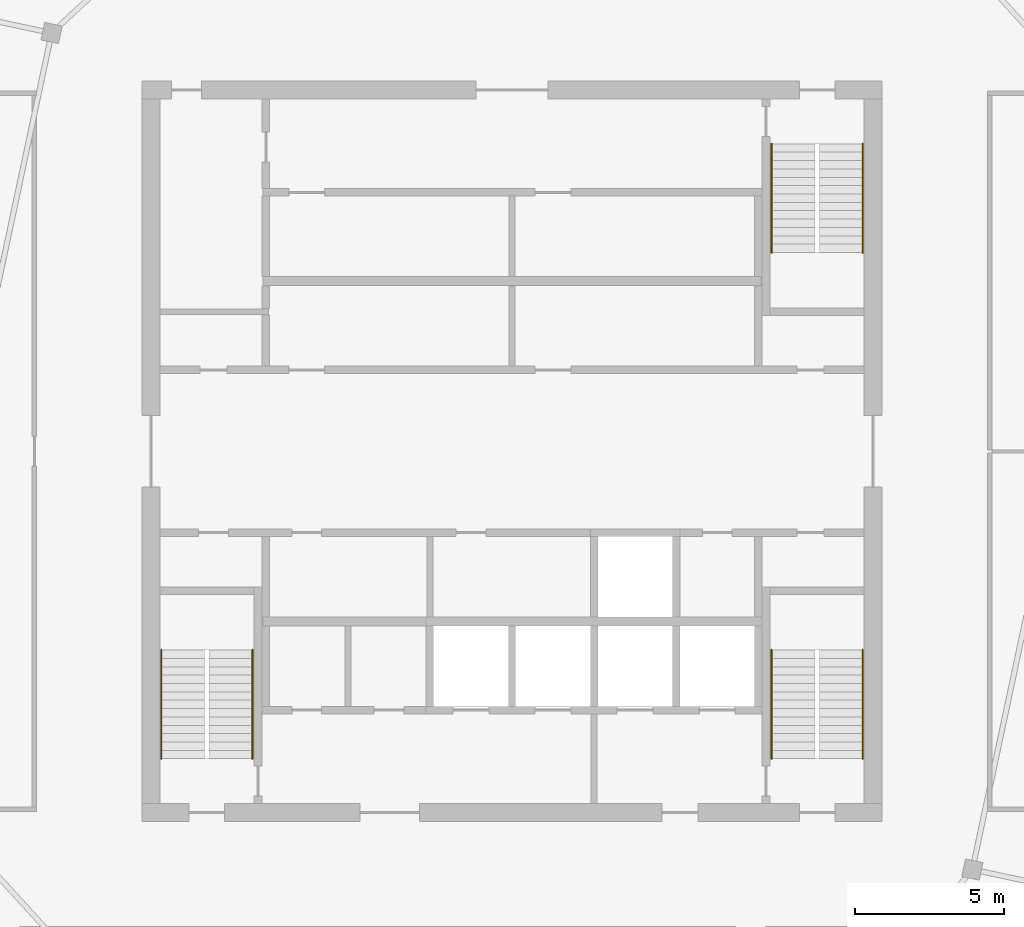
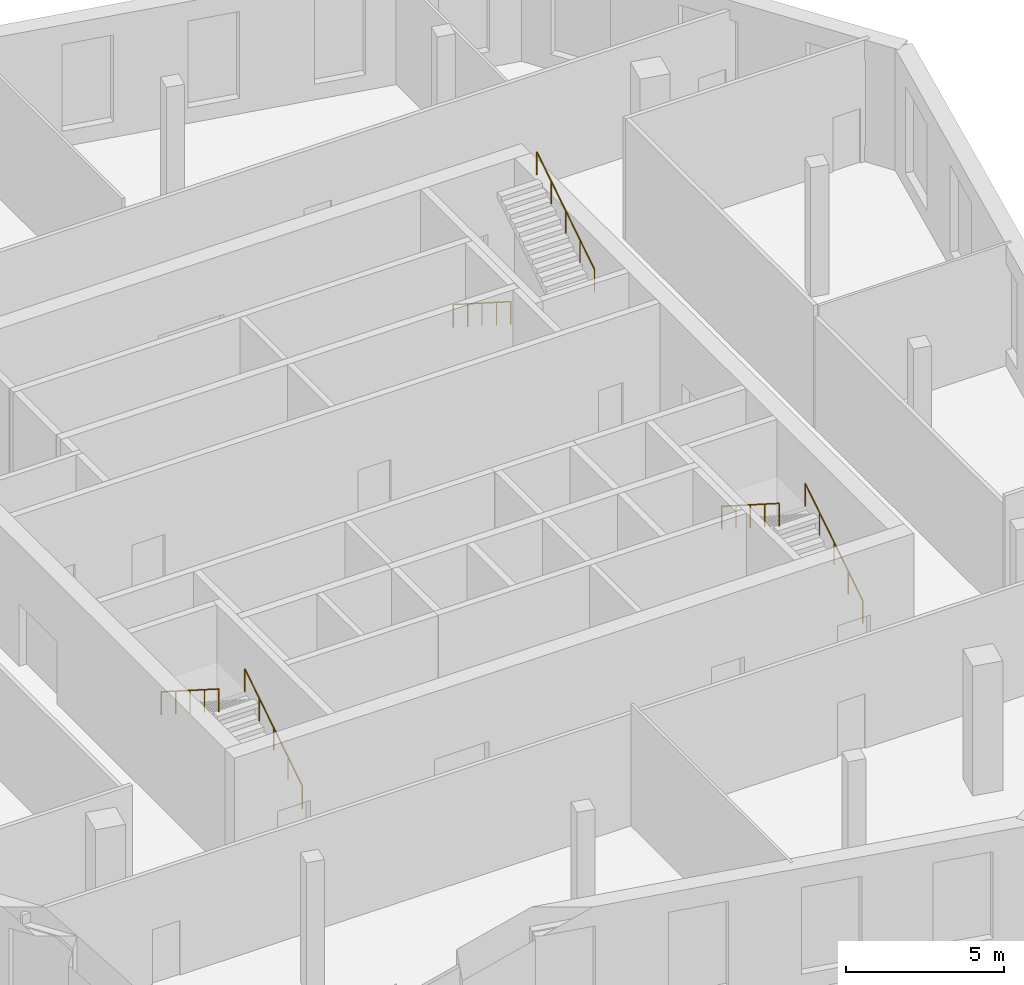
# One storey, part 6 of 6: 6 railings.
"""IFC4 building model written with IfcOpenShell, lengths in metres."""

from ifc_helpers import new_model, si_unit, direction, frame, origin, origin_2d, place, context, subcontext, project, spatial, circle, extrude, material, type_object, element, save


model = new_model("IFC4")

# Units and contexts
model_context = context("Model", 3, precision=1e-05, world=origin(), true_north=direction((0.0, 1.0)))
body_context = subcontext(model_context, "Body", "Model", "MODEL_VIEW")
ifc_project = project(units=[si_unit("LENGTHUNIT", "METRE"), si_unit("AREAUNIT", "SQUARE_METRE"), si_unit("VOLUMEUNIT", "CUBIC_METRE"), si_unit("PLANEANGLEUNIT", "RADIAN"), si_unit("MASSUNIT", "GRAM", prefix="KILO")], contexts=[model_context])

# Site, building, storey
site_placement = place(None, origin())
site = spatial("IfcSite", under=ifc_project, at=site_placement, CompositionType="ELEMENT")
building_placement = place(site_placement, origin())
building = spatial("IfcBuilding", under=site, at=building_placement, Name="Dilmun Exchange Tower", CompositionType="ELEMENT")
storey_placement = place(building_placement, frame((0.0, 0.0, 358.10009765625)))
storey = spatial("IfcBuildingStorey", under=building, at=storey_placement, Name="Crown L84", CompositionType="ELEMENT", Elevation=358.10009765625)

# Railings
ifc_material = material(Name="Stainless steel", Category="steel")
railing_type = type_object("IfcRailingType", Name="Stair handrail 900", PredefinedType="HANDRAIL", material=ifc_material)
railing_1_placement = place(storey_placement, frame((8.699951171875, 10.300048828125, 0.178466796875)))
element("IfcRailing", 1, at=railing_1_placement, inside=storey, type_object=railing_type, Name="Crown L84 ST1 stair handrail 1", PredefinedType="HANDRAIL", context=body_context, shape_type="SweptSolid", body=[
    extrude(circle(Radius=0.02392578125, at=origin_2d()), frame((0.0, 0.0, 0.8759765625), z_axis=(0.0, -0.843127859045, 0.537713132908), x_axis=(1.0, 0.0, 0.0)), (0.0, 0.0, 1.0), 4.3173828125),
    extrude(circle(Radius=0.02099609375, at=origin_2d()), origin(), (0.0, 0.0, 1.0), 0.851806640625),
    extrude(circle(Radius=0.02099609375, at=origin_2d()), frame((0.0, -0.91015625, 0.580322265625)), (0.0, 0.0, 1.0), 0.851806640625),
    extrude(circle(Radius=0.02099609375, at=origin_2d()), frame((0.0, -1.820068359375, 1.16064453125)), (0.0, 0.0, 1.0), 0.851806640625),
    extrude(circle(Radius=0.02099609375, at=origin_2d()), frame((0.0, -2.72998046875, 1.7412109375)), (0.0, 0.0, 1.0), 0.851806640625),
    extrude(circle(Radius=0.02099609375, at=origin_2d()), frame((0.0, -3.64013671875, 2.321533203125)), (0.0, 0.0, 1.0), 0.851806640625),
])
for number, where, name in (
    (2, (11.75, 6.659912109375, 2.678466796875), "Crown L84 ST1 stair handrail 2"),
    (3, (-8.699951171875, -10.300048828125, 0.178466796875), "Crown L84 ST2 stair handrail 1"),
):
    element("IfcRailing", number, at=place(storey_placement, frame(where)), inside=storey, type_object=railing_type, Name=name, PredefinedType="HANDRAIL", context=body_context, shape_type="SweptSolid", body=[
        extrude(circle(Radius=0.02392578125, at=origin_2d()), frame((0.0, 0.0, 0.8759765625), z_axis=(0.0, 0.843127859045, 0.537713132908), x_axis=(-1.0, 0.0, 0.0)), (0.0, 0.0, 1.0), 4.3173828125),
        extrude(circle(Radius=0.02099609375, at=origin_2d()), origin(), (0.0, 0.0, 1.0), 0.851806640625),
        extrude(circle(Radius=0.02099609375, at=origin_2d()), frame((0.0, 0.91015625, 0.580322265625)), (0.0, 0.0, 1.0), 0.851806640625),
        extrude(circle(Radius=0.02099609375, at=origin_2d()), frame((0.0, 1.820068359375, 1.16064453125)), (0.0, 0.0, 1.0), 0.851806640625),
        extrude(circle(Radius=0.02099609375, at=origin_2d()), frame((0.0, 2.72998046875, 1.7412109375)), (0.0, 0.0, 1.0), 0.851806640625),
        extrude(circle(Radius=0.02099609375, at=origin_2d()), frame((0.0, 3.64013671875, 2.321533203125)), (0.0, 0.0, 1.0), 0.851806640625),
    ])
railing_2_placement = place(storey_placement, frame((-11.75, -6.659912109375, 2.678466796875)))
element("IfcRailing", 4, at=railing_2_placement, inside=storey, type_object=railing_type, Name="Crown L84 ST2 stair handrail 2", PredefinedType="HANDRAIL", context=body_context, shape_type="SweptSolid", body=[
    extrude(circle(Radius=0.02392578125, at=origin_2d()), frame((0.0, 0.0, 0.8759765625), z_axis=(0.0, -0.843127859045, 0.537713132908), x_axis=(1.0, 0.0, 0.0)), (0.0, 0.0, 1.0), 4.3173828125),
    extrude(circle(Radius=0.02099609375, at=origin_2d()), origin(), (0.0, 0.0, 1.0), 0.851806640625),
    extrude(circle(Radius=0.02099609375, at=origin_2d()), frame((0.0, -0.91015625, 0.580322265625)), (0.0, 0.0, 1.0), 0.851806640625),
    extrude(circle(Radius=0.02099609375, at=origin_2d()), frame((0.0, -1.820068359375, 1.16064453125)), (0.0, 0.0, 1.0), 0.851806640625),
    extrude(circle(Radius=0.02099609375, at=origin_2d()), frame((0.0, -2.72998046875, 1.7412109375)), (0.0, 0.0, 1.0), 0.851806640625),
    extrude(circle(Radius=0.02099609375, at=origin_2d()), frame((0.0, -3.64013671875, 2.321533203125)), (0.0, 0.0, 1.0), 0.851806640625),
])
railing_3_placement = place(storey_placement, frame((11.75, -10.300048828125, 0.178466796875)))
element("IfcRailing", 5, at=railing_3_placement, inside=storey, type_object=railing_type, Name="Crown L84 ST3 stair handrail 1", PredefinedType="HANDRAIL", context=body_context, shape_type="SweptSolid", body=[
    extrude(circle(Radius=0.02392578125, at=origin_2d()), frame((0.0, 0.0, 0.8759765625), z_axis=(0.0, 0.843127859045, 0.537713132908), x_axis=(-1.0, 0.0, 0.0)), (0.0, 0.0, 1.0), 4.3173828125),
    extrude(circle(Radius=0.02099609375, at=origin_2d()), origin(), (0.0, 0.0, 1.0), 0.851806640625),
    extrude(circle(Radius=0.02099609375, at=origin_2d()), frame((0.0, 0.91015625, 0.580322265625)), (0.0, 0.0, 1.0), 0.851806640625),
    extrude(circle(Radius=0.02099609375, at=origin_2d()), frame((0.0, 1.820068359375, 1.16064453125)), (0.0, 0.0, 1.0), 0.851806640625),
    extrude(circle(Radius=0.02099609375, at=origin_2d()), frame((0.0, 2.72998046875, 1.7412109375)), (0.0, 0.0, 1.0), 0.851806640625),
    extrude(circle(Radius=0.02099609375, at=origin_2d()), frame((0.0, 3.64013671875, 2.321533203125)), (0.0, 0.0, 1.0), 0.851806640625),
])
railing_4_placement = place(storey_placement, frame((8.699951171875, -6.659912109375, 2.678466796875)))
element("IfcRailing", 6, at=railing_4_placement, inside=storey, type_object=railing_type, Name="Crown L84 ST3 stair handrail 2", PredefinedType="HANDRAIL", context=body_context, shape_type="SweptSolid", body=[
    extrude(circle(Radius=0.02392578125, at=origin_2d()), frame((0.0, 0.0, 0.8759765625), z_axis=(0.0, -0.843127859045, 0.537713132908), x_axis=(1.0, 0.0, 0.0)), (0.0, 0.0, 1.0), 4.3173828125),
    extrude(circle(Radius=0.02099609375, at=origin_2d()), origin(), (0.0, 0.0, 1.0), 0.851806640625),
    extrude(circle(Radius=0.02099609375, at=origin_2d()), frame((0.0, -0.91015625, 0.580322265625)), (0.0, 0.0, 1.0), 0.851806640625),
    extrude(circle(Radius=0.02099609375, at=origin_2d()), frame((0.0, -1.820068359375, 1.16064453125)), (0.0, 0.0, 1.0), 0.851806640625),
    extrude(circle(Radius=0.02099609375, at=origin_2d()), frame((0.0, -2.72998046875, 1.7412109375)), (0.0, 0.0, 1.0), 0.851806640625),
    extrude(circle(Radius=0.02099609375, at=origin_2d()), frame((0.0, -3.64013671875, 2.321533203125)), (0.0, 0.0, 1.0), 0.851806640625),
])

save(model, "model.ifc")
